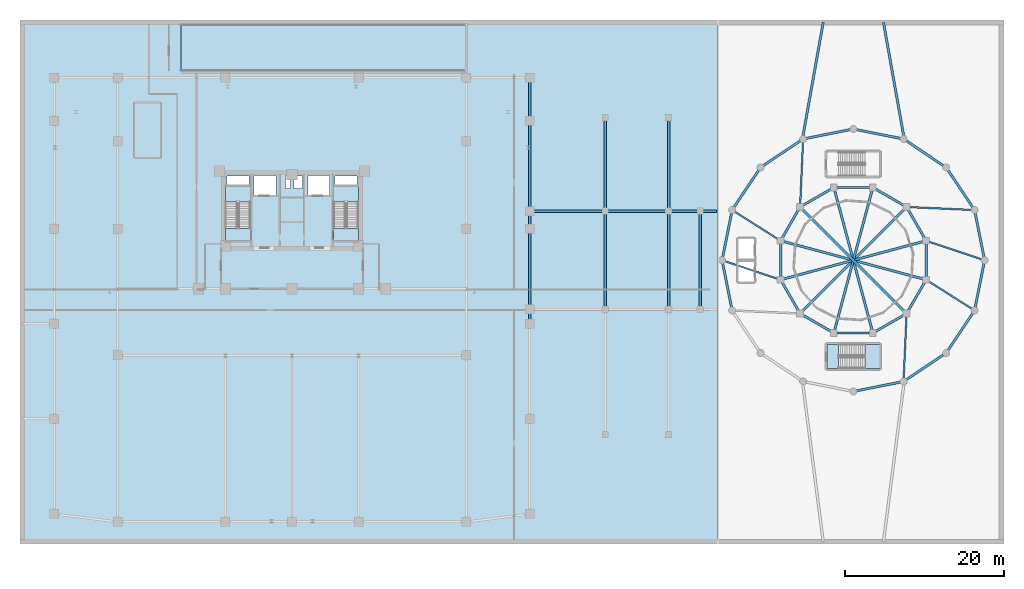
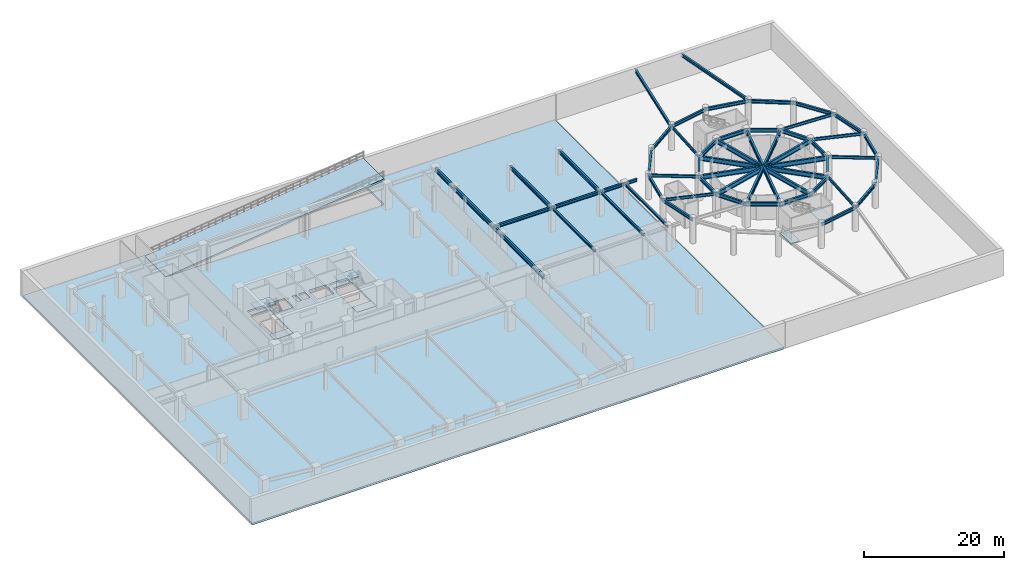
# One storey, part 3 of 15: 52 beams, 8 slabs, 3 elements without a shape of their own.
"""IFC4 building model written with IfcOpenShell, lengths in metres."""

from ifc_helpers import new_model, si_unit, derived_unit, direction, frame, origin, origin_2d, place, context, subcontext, project, spatial, polyline, i_section, outline, extrude, source, transform, mapped, material, layer, layer_set, material_profile, profile_set, type_object, element, aggregate, save


model = new_model("IFC4")

# Units and contexts
model_context = context("Model", 3, precision=1e-05, world=origin(), true_north=direction((0.0, 1.0)))
body_context = subcontext(model_context, "Body", "Model", "MODEL_VIEW")
ifc_project = project(units=[si_unit("LENGTHUNIT", "METRE"), si_unit("AREAUNIT", "SQUARE_METRE"), si_unit("VOLUMEUNIT", "CUBIC_METRE"), si_unit("PLANEANGLEUNIT", "RADIAN"), si_unit("MASSUNIT", "GRAM", prefix="KILO"), derived_unit("THERMALTRANSMITTANCEUNIT", [(si_unit("POWERUNIT", "WATT"), 1), (si_unit("LENGTHUNIT", "METRE"), -2), (si_unit("THERMODYNAMICTEMPERATUREUNIT", "KELVIN"), -1)])], contexts=[model_context])

# Site, building, storey
site_placement = place(None, origin())
site = spatial("IfcSite", under=ifc_project, at=site_placement, CompositionType="ELEMENT")
building_placement = place(site_placement, origin())
building = spatial("IfcBuilding", under=site, at=building_placement, Name="Korsvarv Bourse and Concert Hall", CompositionType="ELEMENT")
storey_placement = place(building_placement, frame((0.0, 0.0, -4.5)))
storey = spatial("IfcBuildingStorey", under=building, at=storey_placement, Name="B01", CompositionType="ELEMENT", Elevation=-4.5)

# Beams
ifc_material_1 = material(Name="Steel S355", Category="steel")
ifc_material_profile_1 = material_profile(ifc_material_1, i_section(OverallWidth=0.300048828125, OverallDepth=0.489990234375, WebThickness=0.011962890625, FlangeThickness=0.02294921875, FilletRadius=0.02392578125, at=origin_2d()), Name="HEA 500")
ifc_profile_set_1 = profile_set([ifc_material_profile_1], Name="Steel S355")
beam_type_1 = type_object("IfcBeamType", Name="BM-HEA500", PredefinedType="BEAM", material=ifc_profile_set_1)
shared_shape_1 = source(origin(), body_context, "Body", "SweptSolid", [
    extrude(i_section(OverallWidth=0.300048828125, OverallDepth=0.489990234375, WebThickness=0.011962890625, FlangeThickness=0.02294921875, FilletRadius=0.02392578125, at=origin_2d()), origin(), (0.0, 0.0, 1.0), 9.5),
])
beam_1_placement = place(storey_placement, frame((66.0, 42.199951171875, 3.97509765625), z_axis=(1.0, 0.0, 0.0), x_axis=(0.0, 1.0, 0.0)))
element("IfcBeam", 1, at=beam_1_placement, inside=storey, type_object=beam_type_1, Name="B01 beam B-10", PredefinedType="BEAM", context=body_context, shape_type="MappedRepresentation", body=[
    mapped(shared_shape_1, transform((0.0, 0.0, 0.0), scale=1.0)),
])
shared_shape_2 = source(origin(), body_context, "Body", "SweptSolid", [
    extrude(i_section(OverallWidth=0.300048828125, OverallDepth=0.489990234375, WebThickness=0.011962890625, FlangeThickness=0.02294921875, FilletRadius=0.02392578125, at=origin_2d()), origin(), (0.0, 0.0, 1.0), 8.0),
])
beam_2_placement = place(storey_placement, frame((75.5, 42.199951171875, 3.97509765625), z_axis=(1.0, 0.0, 0.0), x_axis=(0.0, 1.0, 0.0)))
element("IfcBeam", 2, at=beam_2_placement, inside=storey, type_object=beam_type_1, Name="B01 beam B-10", PredefinedType="BEAM", context=body_context, shape_type="MappedRepresentation", body=[
    mapped(shared_shape_2, transform((0.0, 0.0, 0.0), scale=1.0)),
])
shared_shape_3 = source(origin(), body_context, "Body", "SweptSolid", [
    extrude(i_section(OverallWidth=0.300048828125, OverallDepth=0.489990234375, WebThickness=0.011962890625, FlangeThickness=0.02294921875, FilletRadius=0.02392578125, at=origin_2d()), origin(), (0.0, 0.0, 1.0), 4.0),
])
beam_3_placement = place(storey_placement, frame((83.5, 42.199951171875, 3.97509765625), z_axis=(1.0, 0.0, 0.0), x_axis=(0.0, 1.0, 0.0)))
element("IfcBeam", 3, at=beam_3_placement, inside=storey, type_object=beam_type_1, Name="B01 beam B-10", PredefinedType="BEAM", context=body_context, shape_type="MappedRepresentation", body=[
    mapped(shared_shape_3, transform((0.0, 0.0, 0.0), scale=1.0)),
])
shared_shape_4 = source(origin(), body_context, "Body", "SweptSolid", [
    extrude(i_section(OverallWidth=0.300048828125, OverallDepth=0.489990234375, WebThickness=0.011962890625, FlangeThickness=0.02294921875, FilletRadius=0.02392578125, at=origin_2d()), origin(), (0.0, 0.0, 1.0), 2.02001953125),
])
beam_4_placement = place(storey_placement, frame((87.5, 42.199951171875, 3.97509765625), z_axis=(1.0, 0.0, 0.0), x_axis=(0.0, 1.0, 0.0)))
element("IfcBeam", 4, at=beam_4_placement, inside=storey, type_object=beam_type_1, Name="B01 beam B-10", PredefinedType="BEAM", context=body_context, shape_type="MappedRepresentation", body=[
    mapped(shared_shape_4, transform((0.0, 0.0, 0.0), scale=1.0)),
])
ifc_material_profile_2 = material_profile(ifc_material_1, i_section(OverallWidth=0.300048828125, OverallDepth=0.389892578125, WebThickness=0.010986328125, FlangeThickness=0.01904296875, FilletRadius=0.02099609375, at=origin_2d()), Name="HEA 400")
ifc_profile_set_2 = profile_set([ifc_material_profile_2], Name="Steel S355")
beam_type_2 = type_object("IfcBeamType", Name="BM-HEA400", PredefinedType="BEAM", material=ifc_profile_set_2)
shared_shape_5 = source(origin(), body_context, "Body", "SweptSolid", [
    extrude(i_section(OverallWidth=0.300048828125, OverallDepth=0.389892578125, WebThickness=0.010986328125, FlangeThickness=0.01904296875, FilletRadius=0.02099609375, at=origin_2d()), origin(), (0.0, 0.0, 1.0), 12.39990234375),
])
for number, where, z_axis, x_axis, name in (
    (5, (75.5, 29.800048828125, 4.02490234375), (0.0, 1.0, 0.0), (-1.0, 0.0, 0.0), "B01 beam B-11"),
    (6, (83.5, 29.800048828125, 4.02490234375), (0.0, 1.0, 0.0), (-1.0, 0.0, 0.0), "B01 beam B-11"),
    (7, (87.5, 29.800048828125, 4.02490234375), (0.0, 1.0, 0.0), (-1.0, 0.0, 0.0), "B01 beam B-11"),
):
    element("IfcBeam", number, at=place(storey_placement, frame(where, z_axis=z_axis, x_axis=x_axis)), inside=storey, type_object=beam_type_2, Name=name, PredefinedType="BEAM", context=body_context, shape_type="MappedRepresentation", body=[
        mapped(shared_shape_5, transform((0.0, 0.0, 0.0), scale=1.0)),
    ])
ifc_material_profile_3 = material_profile(ifc_material_1, i_section(OverallWidth=0.300048828125, OverallDepth=0.60009765625, WebThickness=0.015380859375, FlangeThickness=0.030029296875, FilletRadius=0.02392578125, at=origin_2d()), Name="HEB 600")
ifc_profile_set_3 = profile_set([ifc_material_profile_3], Name="Steel S355")
beam_type_3 = type_object("IfcBeamType", Name="BM-HEB600", PredefinedType="BEAM", material=ifc_profile_set_3)
shared_shape_6 = source(origin(), body_context, "Body", "SweptSolid", [
    extrude(i_section(OverallWidth=0.300048828125, OverallDepth=0.60009765625, WebThickness=0.015380859375, FlangeThickness=0.030029296875, FilletRadius=0.02392578125, at=origin_2d()), origin(), (0.0, 0.0, 1.0), 11.800048828125),
])
for number, where, z_axis, x_axis, name in (
    (8, (75.5, 42.199951171875, 3.919921875), (0.0, 1.0, 0.0), (-1.0, 0.0, 0.0), "B01 beam B-05"),
    (9, (83.5, 42.199951171875, 3.919921875), (0.0, 1.0, 0.0), (-1.0, 0.0, 0.0), "B01 beam B-05"),
):
    element("IfcBeam", number, at=place(storey_placement, frame(where, z_axis=z_axis, x_axis=x_axis)), inside=storey, type_object=beam_type_3, Name=name, PredefinedType="BEAM", context=body_context, shape_type="MappedRepresentation", body=[
        mapped(shared_shape_6, transform((0.0, 0.0, 0.0), scale=1.0)),
    ])
ifc_material_profile_4 = material_profile(ifc_material_1, i_section(OverallWidth=0.300048828125, OverallDepth=0.699951171875, WebThickness=0.01708984375, FlangeThickness=0.031982421875, FilletRadius=0.027099609375, at=origin_2d()), Name="HEB 700")
ifc_profile_set_4 = profile_set([ifc_material_profile_4], Name="Steel S355")
beam_type_4 = type_object("IfcBeamType", Name="BM-HEB700", PredefinedType="BEAM", material=ifc_profile_set_4)
shared_shape_7 = source(origin(), body_context, "Body", "SweptSolid", [
    extrude(i_section(OverallWidth=0.300048828125, OverallDepth=0.699951171875, WebThickness=0.01708984375, FlangeThickness=0.031982421875, FilletRadius=0.027099609375, at=origin_2d()), origin(), (0.0, 0.0, 1.0), 12.0),
])
beam_5_placement = place(storey_placement, frame((66.0, 28.0, 3.8701171875), z_axis=(0.0, 1.0, 0.0), x_axis=(-1.0, 0.0, 0.0)))
element("IfcBeam", 10, at=beam_5_placement, inside=storey, type_object=beam_type_4, Name="B01 beam B-03", PredefinedType="BEAM", context=body_context, shape_type="MappedRepresentation", body=[
    mapped(shared_shape_7, transform((0.0, 0.0, 0.0), scale=1.0)),
])
shared_shape_8 = source(origin(), body_context, "Body", "SweptSolid", [
    extrude(i_section(OverallWidth=0.300048828125, OverallDepth=0.699951171875, WebThickness=0.01708984375, FlangeThickness=0.031982421875, FilletRadius=0.027099609375, at=origin_2d()), origin(), (0.0, 0.0, 1.0), 13.60009765625),
])
beam_6_placement = place(storey_placement, frame((66.0, 40.0, 3.8701171875), z_axis=(0.0, 1.0, 0.0), x_axis=(-1.0, 0.0, 0.0)))
element("IfcBeam", 11, at=beam_6_placement, inside=storey, type_object=beam_type_4, Name="B01 beam B-03", PredefinedType="BEAM", context=body_context, shape_type="MappedRepresentation", body=[
    mapped(shared_shape_8, transform((0.0, 0.0, 0.0), scale=1.0)),
])
shared_shape_9 = source(origin(), body_context, "Body", "SweptSolid", [
    extrude(i_section(OverallWidth=0.300048828125, OverallDepth=0.699951171875, WebThickness=0.01708984375, FlangeThickness=0.031982421875, FilletRadius=0.027099609375, at=origin_2d()), origin(), (0.0, 0.0, 1.0), 5.39990234375),
])
beam_7_placement = place(storey_placement, frame((66.0, 53.60009765625, 3.8701171875), z_axis=(0.0, 1.0, 0.0), x_axis=(-1.0, 0.0, 0.0)))
element("IfcBeam", 12, at=beam_7_placement, inside=storey, type_object=beam_type_4, Name="B01 beam B-03", PredefinedType="BEAM", context=body_context, shape_type="MappedRepresentation", body=[
    mapped(shared_shape_9, transform((0.0, 0.0, 0.0), scale=1.0)),
])
ifc_material_profile_5 = material_profile(ifc_material_1, i_section(OverallWidth=0.300048828125, OverallDepth=0.550048828125, WebThickness=0.014892578125, FlangeThickness=0.029052734375, FilletRadius=0.02392578125, at=origin_2d()), Name="HEB 550")
ifc_profile_set_5 = profile_set([ifc_material_profile_5], Name="Steel S355")
beam_type_5 = type_object("IfcBeamType", Name="BM-HEB550", PredefinedType="BEAM", material=ifc_profile_set_5)
shared_shape_10 = source(origin(), body_context, "Body", "SweptSolid", [
    extrude(i_section(OverallWidth=0.300048828125, OverallDepth=0.550048828125, WebThickness=0.014892578125, FlangeThickness=0.029052734375, FilletRadius=0.02392578125, at=origin_2d()), origin(), (0.0, 0.0, 1.0), 6.45751953125),
])
for number, where, z_axis, x_axis, name in (
    (13, (123.35009765625, 36.0, 3.925048828125), (-0.195119974887, 0.980779381615, 0.0), (-0.980779381615, -0.195119974887, 0.0), "B01 beam B-06"),
    (14, (106.800048828125, 52.550048828125, 3.925048828125), (-0.980786616034, -0.195083607229, 0.0), (0.195083607229, -0.980786616034, 0.0), "B01 beam B-06"),
    (15, (100.466552734375, 51.290283203125, 3.925048828125), (-0.83146235745, -0.55558109052, 0.0), (0.55558109052, -0.83146235745, 0.0), "B01 beam B-06"),
    (16, (95.097412109375, 47.70263671875, 3.925048828125), (-0.55558109052, -0.83146235745, 0.0), (0.83146235745, -0.55558109052, 0.0), "B01 beam B-06"),
    (17, (91.509765625, 42.33349609375, 3.925048828125), (-0.195083607229, -0.980786616034, 0.0), (0.980786616034, -0.195083607229, 0.0), "B01 beam B-06"),
    (18, (90.25, 36.0, 3.925048828125), (0.195083607229, -0.980786616034, 0.0), (0.980786616034, 0.195083607229, 0.0), "B01 beam B-06"),
    (19, (122.090087890625, 29.66650390625, 3.925048828125), (0.195119974887, 0.980779381615, 0.0), (-0.980779381615, 0.195119974887, 0.0), "B01 beam B-06"),
):
    element("IfcBeam", number, at=place(storey_placement, frame(where, z_axis=z_axis, x_axis=x_axis)), inside=storey, type_object=beam_type_5, Name=name, PredefinedType="BEAM", context=body_context, shape_type="MappedRepresentation", body=[
        mapped(shared_shape_10, transform((0.0, 0.0, 0.0), scale=1.0)),
    ])
shared_shape_11 = source(origin(), body_context, "Body", "SweptSolid", [
    extrude(i_section(OverallWidth=0.300048828125, OverallDepth=0.550048828125, WebThickness=0.014892578125, FlangeThickness=0.029052734375, FilletRadius=0.02392578125, at=origin_2d()), origin(), (0.0, 0.0, 1.0), 6.457275390625),
])
for number, where, z_axis, x_axis, name in (
    (20, (122.090087890625, 42.33349609375, 3.925048828125), (-0.555554952257, 0.831479822379, 0.0), (-0.831479822379, -0.555554952257, 0.0), "B01 beam B-06"),
    (21, (113.13330078125, 51.290283203125, 3.925048828125), (-0.980785177113, 0.19509084129, 0.0), (-0.19509084129, -0.980785177113, 0.0), "B01 beam B-06"),
    (22, (106.800048828125, 19.449951171875, 3.925048828125), (0.980785177113, 0.19509084129, 0.0), (-0.19509084129, 0.980785177113, 0.0), "B01 beam B-06"),
    (23, (118.502685546875, 24.29736328125, 3.925048828125), (0.555554952257, 0.831479822379, 0.0), (-0.831479822379, 0.555554952257, 0.0), "B01 beam B-06"),
):
    element("IfcBeam", number, at=place(storey_placement, frame(where, z_axis=z_axis, x_axis=x_axis)), inside=storey, type_object=beam_type_5, Name=name, PredefinedType="BEAM", context=body_context, shape_type="MappedRepresentation", body=[
        mapped(shared_shape_11, transform((0.0, 0.0, 0.0), scale=1.0)),
    ])
shared_shape_12 = source(origin(), body_context, "Body", "SweptSolid", [
    extrude(i_section(OverallWidth=0.300048828125, OverallDepth=0.550048828125, WebThickness=0.014892578125, FlangeThickness=0.029052734375, FilletRadius=0.02392578125, at=origin_2d()), origin(), (0.0, 0.0, 1.0), 6.457763671875),
])
for number, where, z_axis, x_axis, name in (
    (24, (118.502685546875, 47.70263671875, 3.925048828125), (-0.831474026951, 0.555563625974, 0.0), (-0.555563625974, -0.831474026951, 0.0), "B01 beam B-06"),
    (25, (113.13330078125, 20.709716796875, 3.925048828125), (0.831474026951, 0.555563625974, 0.0), (-0.555563625974, 0.831474026951, 0.0), "B01 beam B-06"),
):
    element("IfcBeam", number, at=place(storey_placement, frame(where, z_axis=z_axis, x_axis=x_axis)), inside=storey, type_object=beam_type_5, Name=name, PredefinedType="BEAM", context=body_context, shape_type="MappedRepresentation", body=[
        mapped(shared_shape_12, transform((0.0, 0.0, 0.0), scale=1.0)),
    ])
ifc_material_profile_6 = material_profile(ifc_material_1, i_section(OverallWidth=0.300048828125, OverallDepth=0.64990234375, WebThickness=0.01611328125, FlangeThickness=0.031005859375, FilletRadius=0.027099609375, at=origin_2d()), Name="HEB 650")
ifc_profile_set_6 = profile_set([ifc_material_profile_6], Name="Steel S355")
beam_type_6 = type_object("IfcBeamType", Name="BM-HEB650", PredefinedType="BEAM", material=ifc_profile_set_6)
shared_shape_13 = source(origin(), body_context, "Body", "SweptSolid", [
    extrude(i_section(OverallWidth=0.300048828125, OverallDepth=0.64990234375, WebThickness=0.01611328125, FlangeThickness=0.031005859375, FilletRadius=0.027099609375, at=origin_2d()), origin(), (0.0, 0.0, 1.0), 4.91748046875),
])
for number, where, z_axis, x_axis, name in (
    (26, (115.976318359375, 38.458740234375, 3.875), (-0.499988900423, 0.866031812033, 0.0), (-0.866031812033, -0.499988900423, 0.0), "B01 beam B-04"),
    (27, (113.517578125, 42.717529296875, 3.875), (-0.866031812033, 0.499988900423, 0.0), (-0.499988900423, -0.866031812033, 0.0), "B01 beam B-04"),
    (28, (109.2587890625, 45.17626953125, 3.875), (-1.0, 0.0, 0.0), (0.0, -1.0, 0.0), "B01 beam B-04"),
    (29, (104.34130859375, 45.17626953125, 3.875), (-0.866031812033, -0.499988900423, 0.0), (0.499988900423, -0.866031812033, 0.0), "B01 beam B-04"),
    (30, (100.08251953125, 42.717529296875, 3.875), (-0.499988900423, -0.866031812033, 0.0), (0.866031812033, -0.499988900423, 0.0), "B01 beam B-04"),
    (31, (97.623779296875, 38.458740234375, 3.875), (0.0, -1.0, 0.0), (1.0, 0.0, 0.0), "B01 beam B-04"),
    (32, (97.623779296875, 33.541259765625, 3.875), (0.499988900423, -0.866031812033, 0.0), (0.866031812033, 0.499988900423, 0.0), "B01 beam B-04"),
    (33, (100.08251953125, 29.282470703125, 3.875), (0.866031812033, -0.499988900423, 0.0), (0.499988900423, 0.866031812033, 0.0), "B01 beam B-04"),
    (34, (104.34130859375, 26.82373046875, 3.875), (1.0, 0.0, 0.0), (0.0, 1.0, 0.0), "B01 beam B-04"),
    (35, (109.2587890625, 26.82373046875, 3.875), (0.866031812033, 0.499988900423, 0.0), (-0.499988900423, 0.866031812033, 0.0), "B01 beam B-04"),
    (36, (113.517578125, 29.282470703125, 3.875), (0.499988900423, 0.866031812033, 0.0), (-0.866031812033, 0.499988900423, 0.0), "B01 beam B-04"),
    (37, (115.976318359375, 33.541259765625, 3.875), (0.0, 1.0, 0.0), (-1.0, 0.0, 0.0), "B01 beam B-04"),
):
    element("IfcBeam", number, at=place(storey_placement, frame(where, z_axis=z_axis, x_axis=x_axis)), inside=storey, type_object=beam_type_6, Name=name, PredefinedType="BEAM", context=body_context, shape_type="MappedRepresentation", body=[
        mapped(shared_shape_13, transform((0.0, 0.0, 0.0), scale=1.0)),
    ])
ifc_material_profile_7 = material_profile(ifc_material_1, i_section(OverallWidth=0.199951171875, OverallDepth=0.5, WebThickness=0.01025390625, FlangeThickness=0.01611328125, FilletRadius=0.02099609375, at=origin_2d()), Name="IPE 500")
ifc_profile_set_7 = profile_set([ifc_material_profile_7], Name="Steel S355")
beam_type_7 = type_object("IfcBeamType", Name="BM-IPE500", PredefinedType="JOIST", material=ifc_profile_set_7)
shared_shape_14 = source(origin(), body_context, "Body", "SweptSolid", [
    extrude(i_section(OverallWidth=0.199951171875, OverallDepth=0.5, WebThickness=0.01025390625, FlangeThickness=0.01611328125, FilletRadius=0.02099609375, at=origin_2d()), origin(), (0.0, 0.0, 1.0), 7.77294921875),
])
for number, where, z_axis, x_axis, name in (
    (38, (115.976318359375, 38.458740234375, 3.949951171875), (0.948651884177, -0.316321992039, 0.0), (0.316321992039, 0.948651884177, 0.0), "B01 beam J-03"),
    (39, (97.623779296875, 33.541259765625, 3.949951171875), (-0.948651884177, 0.316321992039, 0.0), (-0.316321992039, -0.948651884177, 0.0), "B01 beam J-03"),
):
    element("IfcBeam", number, at=place(storey_placement, frame(where, z_axis=z_axis, x_axis=x_axis)), inside=storey, type_object=beam_type_7, Name=name, PredefinedType="JOIST", context=body_context, shape_type="MappedRepresentation", body=[
        mapped(shared_shape_14, transform((0.0, 0.0, 0.0), scale=1.0)),
    ])
shared_shape_15 = source(origin(), body_context, "Body", "SweptSolid", [
    extrude(i_section(OverallWidth=0.199951171875, OverallDepth=0.5, WebThickness=0.01025390625, FlangeThickness=0.01611328125, FilletRadius=0.02099609375, at=origin_2d()), origin(), (0.0, 0.0, 1.0), 8.5810546875),
])
beam_8_placement = place(storey_placement, frame((113.517578125, 42.717529296875, 3.949951171875), z_axis=(0.998998067431, -0.044753338082, 0.0), x_axis=(0.044753338082, 0.998998067431, 0.0)))
element("IfcBeam", 40, at=beam_8_placement, inside=storey, type_object=beam_type_7, Name="B01 beam J-03", PredefinedType="JOIST", context=body_context, shape_type="MappedRepresentation", body=[
    mapped(shared_shape_15, transform((0.0, 0.0, 0.0), scale=1.0)),
])
shared_shape_16 = source(origin(), body_context, "Body", "SweptSolid", [
    extrude(i_section(OverallWidth=0.199951171875, OverallDepth=0.5, WebThickness=0.01025390625, FlangeThickness=0.01611328125, FilletRadius=0.02099609375, at=origin_2d()), origin(), (0.0, 0.0, 1.0), 8.581298828125),
])
for number, where, z_axis, x_axis, name in (
    (41, (100.08251953125, 42.717529296875, 3.949951171875), (0.044752066119, 0.998998124412, 0.0), (-0.998998124412, 0.044752066119, 0.0), "B01 beam J-03"),
    (42, (113.517578125, 29.282470703125, 3.949951171875), (-0.044780459224, -0.998996852083, 0.0), (0.998996852083, -0.044780459224, 0.0), "B01 beam J-03"),
):
    element("IfcBeam", number, at=place(storey_placement, frame(where, z_axis=z_axis, x_axis=x_axis)), inside=storey, type_object=beam_type_7, Name=name, PredefinedType="JOIST", context=body_context, shape_type="MappedRepresentation", body=[
        mapped(shared_shape_16, transform((0.0, 0.0, 0.0), scale=1.0)),
    ])
shared_shape_17 = source(origin(), body_context, "Body", "SweptSolid", [
    extrude(i_section(OverallWidth=0.199951171875, OverallDepth=0.5, WebThickness=0.01025390625, FlangeThickness=0.01611328125, FilletRadius=0.02099609375, at=origin_2d()), origin(), (0.0, 0.0, 1.0), 7.238525390625),
])
beam_9_placement = place(storey_placement, frame((97.623779296875, 38.458740234375, 3.949951171875), z_axis=(-0.844659971835, 0.53530321499, 0.0), x_axis=(-0.53530321499, -0.844659971835, 0.0)))
element("IfcBeam", 43, at=beam_9_placement, inside=storey, type_object=beam_type_7, Name="B01 beam J-03", PredefinedType="JOIST", context=body_context, shape_type="MappedRepresentation", body=[
    mapped(shared_shape_17, transform((0.0, 0.0, 0.0), scale=1.0)),
])
shared_shape_18 = source(origin(), body_context, "Body", "SweptSolid", [
    extrude(i_section(OverallWidth=0.199951171875, OverallDepth=0.5, WebThickness=0.01025390625, FlangeThickness=0.01611328125, FilletRadius=0.02099609375, at=origin_2d()), origin(), (0.0, 0.0, 1.0), 7.23828125),
])
beam_10_placement = place(storey_placement, frame((115.976318359375, 33.541259765625, 3.949951171875), z_axis=(0.844650306569, -0.5353184656, 0.0), x_axis=(0.5353184656, 0.844650306569, 0.0)))
element("IfcBeam", 44, at=beam_10_placement, inside=storey, type_object=beam_type_7, Name="B01 beam J-03", PredefinedType="JOIST", context=body_context, shape_type="MappedRepresentation", body=[
    mapped(shared_shape_18, transform((0.0, 0.0, 0.0), scale=1.0)),
])
ifc_material_2 = material(Name="Steel S460", Category="steel")
ifc_material_profile_8 = material_profile(ifc_material_2, i_section(OverallWidth=0.300048828125, OverallDepth=0.800048828125, WebThickness=0.017578125, FlangeThickness=0.032958984375, FilletRadius=0.027099609375, at=origin_2d()), Name="HEB 800")
ifc_profile_set_8 = profile_set([ifc_material_profile_8], Name="Steel S460")
beam_type_8 = type_object("IfcBeamType", Name="BM-HEB800", PredefinedType="BEAM", material=ifc_profile_set_8)
shared_shape_19 = source(origin(), body_context, "Body", "SweptSolid", [
    extrude(i_section(OverallWidth=0.300048828125, OverallDepth=0.800048828125, WebThickness=0.017578125, FlangeThickness=0.032958984375, FilletRadius=0.027099609375, at=origin_2d()), origin(), (0.0, 0.0, 1.0), 19.0),
])
for number, where, z_axis, x_axis, name in (
    (45, (115.976318359375, 38.458740234375, 3.800048828125), (-0.96592671513, -0.258815727879, 0.0), (0.258815727879, -0.96592671513, 0.0), "B01 beam B-02"),
    (46, (113.517578125, 42.717529296875, 3.800048828125), (-0.707106781187, -0.707106781187, 0.0), (0.707106781187, -0.707106781187, 0.0), "B01 beam B-02"),
    (47, (109.2587890625, 45.17626953125, 3.800048828125), (-0.258815727879, -0.96592671513, 0.0), (0.96592671513, -0.258815727879, 0.0), "B01 beam B-02"),
    (48, (104.34130859375, 45.17626953125, 3.800048828125), (0.258815727879, -0.96592671513, 0.0), (0.96592671513, 0.258815727879, 0.0), "B01 beam B-02"),
    (49, (100.08251953125, 42.717529296875, 3.800048828125), (0.707106781187, -0.707106781187, 0.0), (0.707106781187, 0.707106781187, 0.0), "B01 beam B-02"),
    (50, (97.623779296875, 38.458740234375, 3.800048828125), (0.96592671513, -0.258815727879, 0.0), (0.258815727879, 0.96592671513, 0.0), "B01 beam B-02"),
):
    element("IfcBeam", number, at=place(storey_placement, frame(where, z_axis=z_axis, x_axis=x_axis)), inside=storey, type_object=beam_type_8, Name=name, PredefinedType="BEAM", context=body_context, shape_type="MappedRepresentation", body=[
        mapped(shared_shape_19, transform((0.0, 0.0, 0.0), scale=1.0)),
    ])
ifc_material_profile_9 = material_profile(ifc_material_1, i_section(OverallWidth=0.300048828125, OverallDepth=0.5, WebThickness=0.014404296875, FlangeThickness=0.028076171875, FilletRadius=0.02392578125, at=origin_2d()), Name="HEB 500")
ifc_profile_set_9 = profile_set([ifc_material_profile_9], Name="Steel S355")
beam_type_9 = type_object("IfcBeamType", Name="BM-HEB500", PredefinedType="BEAM", material=ifc_profile_set_9)
shared_shape_20 = source(origin(), body_context, "Body", "SweptSolid", [
    extrude(i_section(OverallWidth=0.300048828125, OverallDepth=0.5, WebThickness=0.014404296875, FlangeThickness=0.028076171875, FilletRadius=0.02392578125, at=origin_2d()), origin(), (0.0, 0.0, 1.0), 14.829833984375),
])
for number, where, z_axis, x_axis, name in (
    (51, (100.39990234375, 51.39990234375, 3.969970703125), (0.175329090265, 0.984509883194, 0.0), (-0.984509883194, 0.175329090265, 0.0), "B01 beam B-07"),
    (52, (113.199951171875, 51.39990234375, 3.969970703125), (-0.175313133442, 0.984512724774, 0.0), (-0.984512724774, -0.175313133442, 0.0), "B01 beam B-07"),
):
    element("IfcBeam", number, at=place(storey_placement, frame(where, z_axis=z_axis, x_axis=x_axis)), inside=storey, type_object=beam_type_9, Name=name, PredefinedType="BEAM", context=body_context, shape_type="MappedRepresentation", body=[
        mapped(shared_shape_20, transform((0.0, 0.0, 0.0), scale=1.0)),
    ])

# Slabs
ifc_material_3 = material(Name="Concrete C45/55", Category="concrete")
ifc_layer_1 = layer(ifc_material_3, 0.320068359375)
ifc_layer_set_1 = layer_set([ifc_layer_1], Name="Concrete C45/55")
slab_type_1 = type_object("IfcSlabType", Name="SLB-B01", PredefinedType="FLOOR", material=ifc_layer_set_1)
slab_1_placement = place(storey_placement, frame((0.0, 0.0, -0.320068359375)))
element("IfcSlab", 53, at=slab_1_placement, inside=storey, type_object=slab_type_1, Name="B01 Exchange Podium structural slab S-B01", PredefinedType="FLOOR", context=body_context, shape_type="SweptSolid", body=[
    extrude(outline(polyline([(2.0, 0.5), (89.679931640625, 0.5), (89.679931640625, 66.0), (2.0, 66.0), (2.0, 0.5)]), holes=[polyline([(30.760009765625, 38.5), (30.760009765625, 45.300048828125), (27.60009765625, 45.300048828125), (27.60009765625, 38.5), (30.760009765625, 38.5)]), polyline([(44.39990234375, 38.5), (44.39990234375, 45.300048828125), (41.239990234375, 45.300048828125), (41.239990234375, 38.5), (44.39990234375, 38.5)]), polyline([(31.239990234375, 44.219970703125), (34.0, 44.219970703125), (34.0, 46.679931640625), (31.239990234375, 46.679931640625), (31.239990234375, 44.219970703125)]), polyline([(38.0, 44.219970703125), (40.760009765625, 44.219970703125), (40.760009765625, 46.679931640625), (38.0, 46.679931640625), (38.0, 44.219970703125)]), polyline([(27.800048828125, 45.56005859375), (30.56005859375, 45.56005859375), (30.56005859375, 46.6201171875), (27.800048828125, 46.6201171875), (27.800048828125, 45.56005859375)]), polyline([(41.43994140625, 45.56005859375), (44.199951171875, 45.56005859375), (44.199951171875, 46.6201171875), (41.43994140625, 46.6201171875), (41.43994140625, 45.56005859375)]), polyline([(35.199951171875, 45.080078125), (35.840087890625, 45.080078125), (35.840087890625, 46.6201171875), (35.199951171875, 46.6201171875), (35.199951171875, 45.080078125)]), polyline([(36.239990234375, 45.080078125), (37.320068359375, 45.080078125), (37.320068359375, 46.6201171875), (36.239990234375, 46.6201171875), (36.239990234375, 45.080078125)]), polyline([(22.0, 59.800048828125), (58.0, 59.800048828125), (58.0, 65.800048828125), (22.0, 65.800048828125), (22.0, 59.800048828125)])]), origin(), (0.0, 0.0, 1.0), 0.320068359375),
])
ifc_material_4 = material(Name="Precast concrete C45/55", Category="concrete")
ifc_layer_2 = layer(ifc_material_4, 0.199951171875)
ifc_layer_set_2 = layer_set([ifc_layer_2], Name="Precast concrete C45/55")
slab_type_2 = type_object("IfcSlabType", Name="SLB-FLND-T", PredefinedType="LANDING", material=ifc_layer_set_2)
slab_2_placement = place(storey_placement, frame((0.0, 0.0, -0.199951171875)))
element("IfcSlab", 54, at=slab_2_placement, inside=storey, type_object=slab_type_2, Name="B01 Stair ST-T1 Floor Landing Slab", PredefinedType="LANDING", context=body_context, shape_type="SweptSolid", body=[
    extrude(outline(polyline([(30.760009765625, 38.5), (30.760009765625, 40.0), (27.60009765625, 40.0), (27.60009765625, 38.5), (30.760009765625, 38.5)])), origin(), (0.0, 0.0, 1.0), 0.199951171875),
])
slab_3_placement = place(storey_placement, frame((0.0, 0.0, -0.199951171875)))
element("IfcSlab", 55, at=slab_3_placement, inside=storey, type_object=slab_type_2, Name="B01 Stair ST-T2 Floor Landing Slab", PredefinedType="LANDING", context=body_context, shape_type="SweptSolid", body=[
    extrude(outline(polyline([(44.39990234375, 38.5), (44.39990234375, 40.0), (41.239990234375, 40.0), (41.239990234375, 38.5), (44.39990234375, 38.5)])), origin(), (0.0, 0.0, 1.0), 0.199951171875),
])
slab_4_placement = place(storey_placement, frame((0.0, 0.0, -0.199951171875)))
element("IfcSlab", 56, at=slab_4_placement, inside=storey, type_object=slab_type_2, Name="B01 Stair ST-CH2 Floor Landing Slab", PredefinedType="LANDING", context=body_context, shape_type="SweptSolid", body=[
    extrude(outline(polyline([(103.449951171875, 22.340087890625), (104.89990234375, 22.340087890625), (104.89990234375, 25.39990234375), (103.449951171875, 25.39990234375), (103.449951171875, 22.340087890625)])), origin(), (0.0, 0.0, 1.0), 0.199951171875),
])
ifc_layer_3 = layer(ifc_material_3, 0.300048828125)
ifc_layer_set_3 = layer_set([ifc_layer_3], Name="Concrete C45/55")
slab_type_3 = type_object("IfcSlabType", Name="SLB-RMP", PredefinedType="FLOOR", material=ifc_layer_set_3)
slab_5_placement = place(storey_placement, frame((22.0, 59.800048828125, 0.0), z_axis=(-0.124034734589, 0.0, 0.992277876714), x_axis=(0.992277876714, 0.0, 0.124034734589)))
element("IfcSlab", 57, at=slab_5_placement, inside=storey, type_object=slab_type_3, Name="B01 to Ground Structural Concrete Vehicle Ramp Slab S-RMP1", PredefinedType="FLOOR", context=body_context, shape_type="SweptSolid", body=[
    extrude(outline(polyline([(0.0, 0.0), (36.28015986734348, 0.0), (36.28015986734348, 6.000000000000002), (0.0, 6.000000000000002), (0.0, 0.0)])), origin(), (0.0, 0.0, -1.0), 0.300048828125),
])

# Stair, slab
stair_type_1 = type_object("IfcStairType", Name="STR-TYPE-01", PredefinedType="HALF_TURN_STAIR", material=ifc_material_4)
stair_1_placement = place(storey_placement, origin())
stair_1 = element("IfcStair", 58, at=stair_1_placement, inside=storey, type_object=stair_type_1, Name="B01 Tower West Exit Stair ST-T1", PredefinedType="HALF_TURN_STAIR")
ifc_layer_4 = layer(ifc_material_4, 0.199951171875)
ifc_layer_set_4 = layer_set([ifc_layer_4], Name="Precast concrete C45/55")
slab_type_4 = type_object("IfcSlabType", Name="SLB-ST-LND", PredefinedType="LANDING", material=ifc_layer_set_4)
slab_6_placement = place(storey_placement, frame((0.0, 0.0, 2.050048828125)))
slab_6 = element("IfcSlab", 59, at=slab_6_placement, type_object=slab_type_4, Name="ST-T1 landing 1", PredefinedType="LANDING", context=body_context, shape_type="SweptSolid", body=[
    extrude(outline(polyline([(30.760009765625, 43.360107421875), (30.760009765625, 45.300048828125), (27.60009765625, 45.300048828125), (27.60009765625, 43.360107421875), (30.760009765625, 43.360107421875)])), origin(), (0.0, 0.0, 1.0), 0.199951171875),
])
aggregate(stair_1, [slab_6])

stair_2_placement = place(storey_placement, origin())
stair_2 = element("IfcStair", 60, at=stair_2_placement, inside=storey, type_object=stair_type_1, Name="B01 Tower East Exit Stair ST-T2", PredefinedType="HALF_TURN_STAIR")
slab_7_placement = place(storey_placement, frame((0.0, 0.0, 2.050048828125)))
slab_7 = element("IfcSlab", 61, at=slab_7_placement, type_object=slab_type_4, Name="ST-T2 landing 1", PredefinedType="LANDING", context=body_context, shape_type="SweptSolid", body=[
    extrude(outline(polyline([(44.39990234375, 43.360107421875), (44.39990234375, 45.300048828125), (41.239990234375, 45.300048828125), (41.239990234375, 43.360107421875), (44.39990234375, 43.360107421875)])), origin(), (0.0, 0.0, 1.0), 0.199951171875),
])
aggregate(stair_2, [slab_7])

stair_type_2 = type_object("IfcStairType", Name="STR-TYPE-06", PredefinedType="HALF_TURN_STAIR", material=ifc_material_4)
stair_3_placement = place(storey_placement, origin())
stair_3 = element("IfcStair", 62, at=stair_3_placement, inside=storey, type_object=stair_type_2, Name="B01 Concert Hall South Exit Stair ST-CH2", PredefinedType="HALF_TURN_STAIR")
slab_8_placement = place(storey_placement, frame((0.0, 0.0, 2.050048828125)))
slab_8 = element("IfcSlab", 63, at=slab_8_placement, type_object=slab_type_4, Name="ST-CH2 landing 1", PredefinedType="LANDING", context=body_context, shape_type="SweptSolid", body=[
    extrude(outline(polyline([(108.260009765625, 22.340087890625), (110.14990234375, 22.340087890625), (110.14990234375, 25.39990234375), (108.260009765625, 25.39990234375), (108.260009765625, 22.340087890625)])), origin(), (0.0, 0.0, 1.0), 0.199951171875),
])
aggregate(stair_3, [slab_8])

save(model, "model.ifc")
